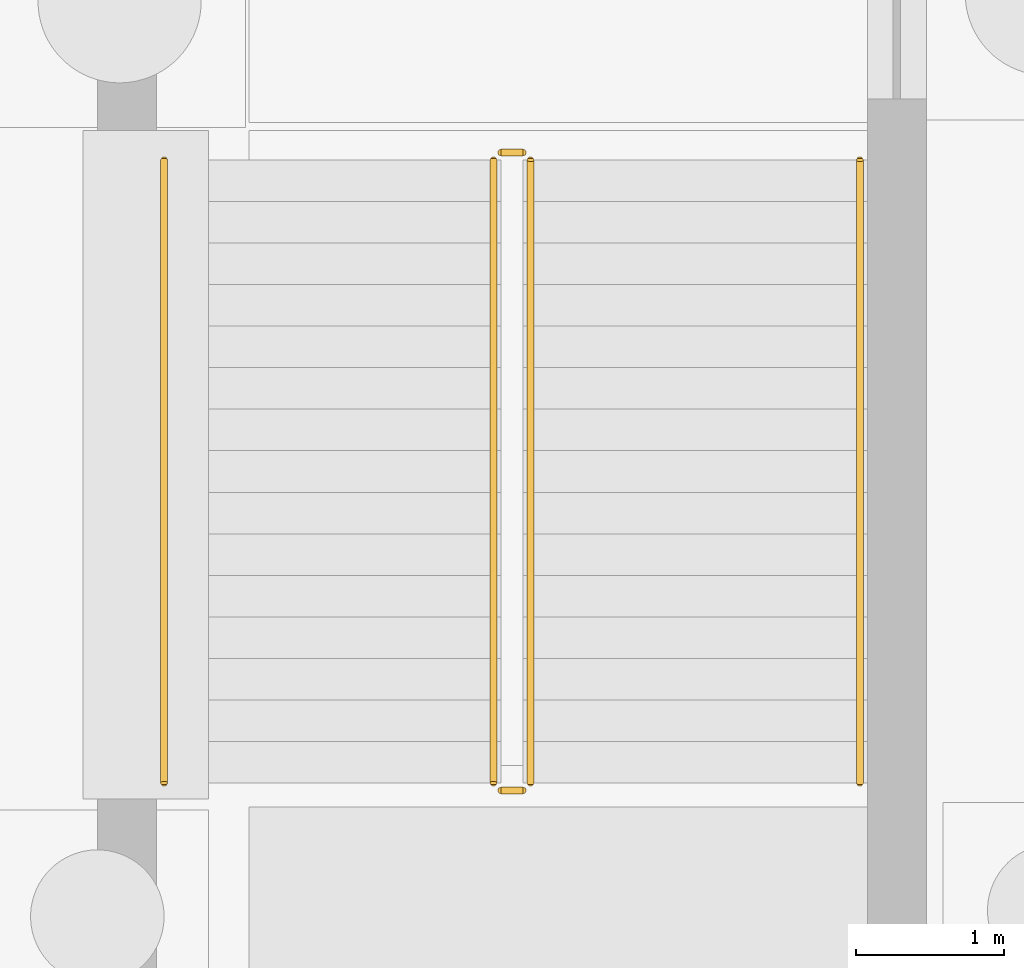
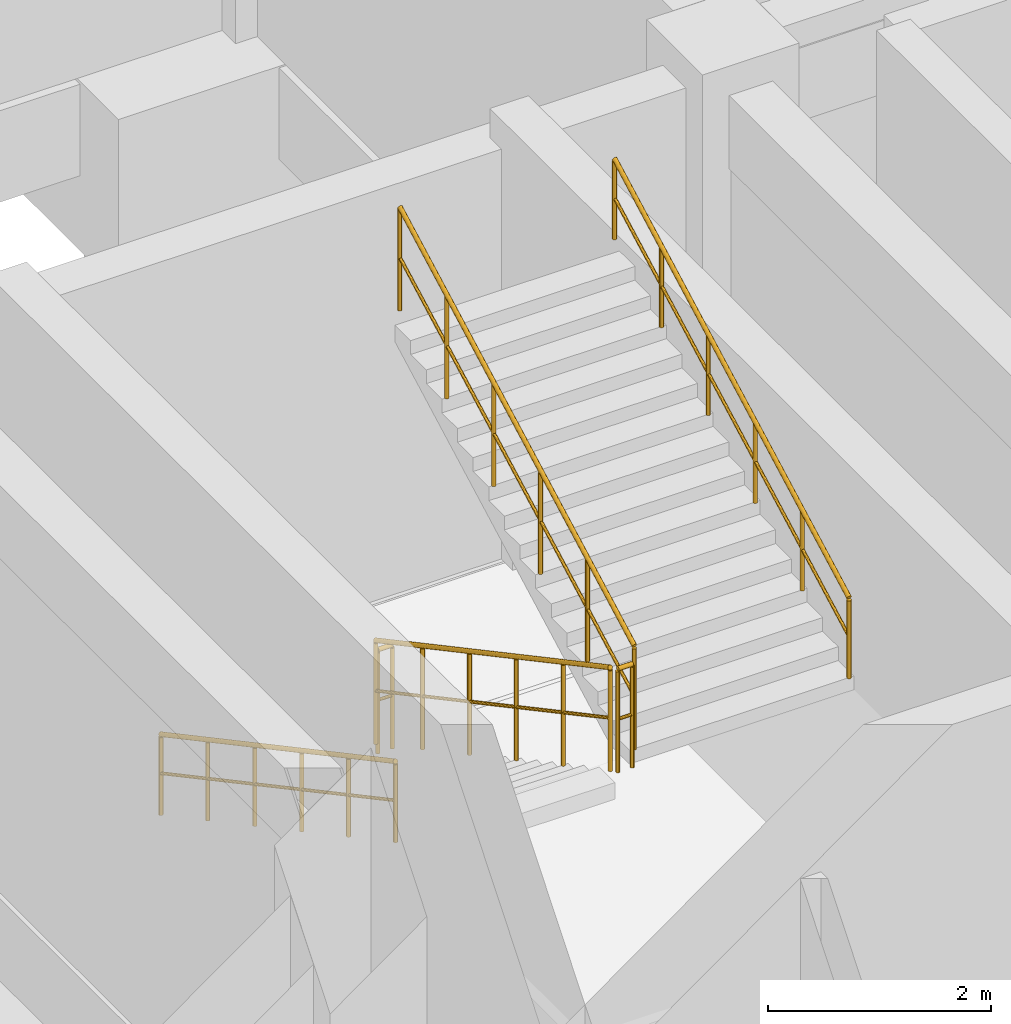
# One storey, part 32 of 33: 6 railings.
"""IFC4 building model written with IfcOpenShell, lengths in metres."""

from ifc_helpers import new_model, si_unit, derived_unit, direction, frame, origin, origin_2d, place, context, subcontext, project, spatial, circle, extrude, material, type_object, element, save


model = new_model("IFC4")

# Units and contexts
model_context = context("Model", 3, precision=1e-05, world=origin(), true_north=direction((0.0, 1.0)))
body_context = subcontext(model_context, "Body", "Model", "MODEL_VIEW")
ifc_project = project(units=[si_unit("LENGTHUNIT", "METRE"), si_unit("AREAUNIT", "SQUARE_METRE"), si_unit("VOLUMEUNIT", "CUBIC_METRE"), si_unit("PLANEANGLEUNIT", "RADIAN"), si_unit("MASSUNIT", "GRAM", prefix="KILO"), derived_unit("THERMALTRANSMITTANCEUNIT", [(si_unit("MASSUNIT", "GRAM", prefix="KILO"), 1), (si_unit("TIMEUNIT", "SECOND"), -3), (si_unit("THERMODYNAMICTEMPERATUREUNIT", "KELVIN"), -1)])], contexts=[model_context])

# Site, building, storey
site_placement = place(None, origin())
site = spatial("IfcSite", under=ifc_project, at=site_placement, CompositionType="ELEMENT")
building_placement = place(site_placement, origin())
building = spatial("IfcBuilding", under=site, at=building_placement, Name="Qinzheling Arcade Emporium", CompositionType="ELEMENT")
storey_placement = place(building_placement, frame((0.0, 0.0, -9.60009765625)))
storey = spatial("IfcBuildingStorey", under=building, at=storey_placement, Name="B2", CompositionType="ELEMENT", Elevation=-9.60009765625)

# Railings
ifc_material_1 = material(Name="Galvanised powder-coated tubular steel", Category="steel")
railing_type_1 = type_object("IfcRailingType", Name="Painted Steel Stairwell Guard Railing 1150", PredefinedType="GUARDRAIL", material=ifc_material_1)
railing_1_placement = place(storey_placement, frame((38.570068359375, 71.47998046875, 0.150146484375)))
element("IfcRailing", 1, at=railing_1_placement, inside=storey, type_object=railing_type_1, Name="B2 ST03 stair guard 1", PredefinedType="GUARDRAIL", context=body_context, shape_type="SweptSolid", body=[
    extrude(circle(Radius=0.02392578125, at=origin_2d()), frame((0.0, 0.0, 1.1259765625), z_axis=(0.0, -0.881477684796, 0.472225678258), x_axis=(1.0, 0.0, 0.0)), (0.0, 0.0, 1.0), 4.7646484375),
    extrude(circle(Radius=0.01611328125, at=origin_2d()), frame((0.0, 0.0, 0.574951171875), z_axis=(0.0, -0.881477684796, 0.472225678258), x_axis=(1.0, 0.0, 0.0)), (0.0, 0.0, 1.0), 4.7646484375),
    extrude(circle(Radius=0.02099609375, at=origin_2d()), origin(), (0.0, 0.0, 1.0), 1.101806640625),
    extrude(circle(Radius=0.02099609375, at=origin_2d()), frame((0.0, -0.840087890625, 0.449951171875)), (0.0, 0.0, 1.0), 1.101806640625),
    extrude(circle(Radius=0.02099609375, at=origin_2d()), frame((0.0, -1.679931640625, 0.89990234375)), (0.0, 0.0, 1.0), 1.101806640625),
    extrude(circle(Radius=0.02099609375, at=origin_2d()), frame((0.0, -2.52001953125, 1.35009765625)), (0.0, 0.0, 1.0), 1.101806640625),
    extrude(circle(Radius=0.02099609375, at=origin_2d()), frame((0.0, -3.35986328125, 1.800048828125)), (0.0, 0.0, 1.0), 1.101806640625),
    extrude(circle(Radius=0.02099609375, at=origin_2d()), frame((0.0, -4.199951171875, 2.25)), (0.0, 0.0, 1.0), 1.101806640625),
])
railing_2_placement = place(storey_placement, frame((38.6201171875, 67.22998046875, 2.400146484375)))
element("IfcRailing", 2, at=railing_2_placement, inside=storey, type_object=railing_type_1, Name="B2 ST03 stair guard 2", PredefinedType="GUARDRAIL", context=body_context, shape_type="SweptSolid", body=[
    extrude(circle(Radius=0.02392578125, at=origin_2d()), frame((0.0, 0.0, 1.1259765625), z_axis=(1.0, 0.0, 0.0), x_axis=(0.0, 1.0, 0.0)), (0.0, 0.0, 1.0), 0.14990234375),
    extrude(circle(Radius=0.01611328125, at=origin_2d()), frame((0.0, 0.0, 0.574951171875), z_axis=(1.0, 0.0, 0.0), x_axis=(0.0, 1.0, 0.0)), (0.0, 0.0, 1.0), 0.14990234375),
    extrude(circle(Radius=0.02099609375, at=origin_2d()), origin(), (0.0, 0.0, 1.0), 1.101806640625),
    extrude(circle(Radius=0.02099609375, at=origin_2d()), frame((0.14990234375, 0.0, 0.0)), (0.0, 0.0, 1.0), 1.101806640625),
])
railing_3_placement = place(storey_placement, frame((38.820068359375, 67.280029296875, 2.550048828125)))
element("IfcRailing", 3, at=railing_3_placement, inside=storey, type_object=railing_type_1, Name="B2 ST03 stair guard 3", PredefinedType="GUARDRAIL", context=body_context, shape_type="SweptSolid", body=[
    extrude(circle(Radius=0.02392578125, at=origin_2d()), frame((0.0, 0.0, 1.1259765625), z_axis=(0.0, 0.881477684796, 0.472225678258), x_axis=(-1.0, 0.0, 0.0)), (0.0, 0.0, 1.0), 4.7646484375),
    extrude(circle(Radius=0.01611328125, at=origin_2d()), frame((0.0, 0.0, 0.574951171875), z_axis=(0.0, 0.881477684796, 0.472225678258), x_axis=(-1.0, 0.0, 0.0)), (0.0, 0.0, 1.0), 4.7646484375),
    extrude(circle(Radius=0.02099609375, at=origin_2d()), origin(), (0.0, 0.0, 1.0), 1.101806640625),
    extrude(circle(Radius=0.02099609375, at=origin_2d()), frame((0.0, 0.840087890625, 0.449951171875)), (0.0, 0.0, 1.0), 1.101806640625),
    extrude(circle(Radius=0.02099609375, at=origin_2d()), frame((0.0, 1.679931640625, 0.89990234375)), (0.0, 0.0, 1.0), 1.101806640625),
    extrude(circle(Radius=0.02099609375, at=origin_2d()), frame((0.0, 2.52001953125, 1.35009765625)), (0.0, 0.0, 1.0), 1.101806640625),
    extrude(circle(Radius=0.02099609375, at=origin_2d()), frame((0.0, 3.35986328125, 1.800048828125)), (0.0, 0.0, 1.0), 1.101806640625),
    extrude(circle(Radius=0.02099609375, at=origin_2d()), frame((0.0, 4.199951171875, 2.25)), (0.0, 0.0, 1.0), 1.101806640625),
])
railing_4_placement = place(storey_placement, frame((38.6201171875, 71.530029296875, 0.0)))
element("IfcRailing", 4, at=railing_4_placement, inside=storey, type_object=railing_type_1, Name="B2 ST03 stair guard 4", PredefinedType="GUARDRAIL", context=body_context, shape_type="SweptSolid", body=[
    extrude(circle(Radius=0.02392578125, at=origin_2d()), frame((0.0, 0.0, 1.1259765625), z_axis=(1.0, 0.0, 0.0), x_axis=(0.0, 1.0, 0.0)), (0.0, 0.0, 1.0), 0.14990234375),
    extrude(circle(Radius=0.01611328125, at=origin_2d()), frame((0.0, 0.0, 0.574951171875), z_axis=(1.0, 0.0, 0.0), x_axis=(0.0, 1.0, 0.0)), (0.0, 0.0, 1.0), 0.14990234375),
    extrude(circle(Radius=0.02099609375, at=origin_2d()), origin(), (0.0, 0.0, 1.0), 1.101806640625),
    extrude(circle(Radius=0.02099609375, at=origin_2d()), frame((0.14990234375, 0.0, 0.0)), (0.0, 0.0, 1.0), 1.101806640625),
])
ifc_material_2 = material(Name="Brushed stainless steel 304", Category="steel")
railing_type_2 = type_object("IfcRailingType", Name="Stainless Steel Wall Handrail 900", PredefinedType="HANDRAIL", material=ifc_material_2)
railing_5_placement = place(storey_placement, frame((36.35009765625, 71.47998046875, 0.150146484375)))
element("IfcRailing", 5, at=railing_5_placement, inside=storey, type_object=railing_type_2, Name="B2 ST03 stair handrail 1", PredefinedType="HANDRAIL", context=body_context, shape_type="SweptSolid", body=[
    extrude(circle(Radius=0.02392578125, at=origin_2d()), frame((0.0, 0.0, 0.8759765625), z_axis=(0.0, -0.881477684796, 0.472225678258), x_axis=(1.0, 0.0, 0.0)), (0.0, 0.0, 1.0), 4.7646484375),
    extrude(circle(Radius=0.01611328125, at=origin_2d()), frame((0.0, 0.0, 0.449951171875), z_axis=(0.0, -0.881477684796, 0.472225678258), x_axis=(1.0, 0.0, 0.0)), (0.0, 0.0, 1.0), 4.7646484375),
    extrude(circle(Radius=0.02099609375, at=origin_2d()), origin(), (0.0, 0.0, 1.0), 0.851806640625),
    extrude(circle(Radius=0.02099609375, at=origin_2d()), frame((0.0, -0.840087890625, 0.449951171875)), (0.0, 0.0, 1.0), 0.851806640625),
    extrude(circle(Radius=0.02099609375, at=origin_2d()), frame((0.0, -1.679931640625, 0.89990234375)), (0.0, 0.0, 1.0), 0.851806640625),
    extrude(circle(Radius=0.02099609375, at=origin_2d()), frame((0.0, -2.52001953125, 1.35009765625)), (0.0, 0.0, 1.0), 0.851806640625),
    extrude(circle(Radius=0.02099609375, at=origin_2d()), frame((0.0, -3.35986328125, 1.800048828125)), (0.0, 0.0, 1.0), 0.851806640625),
    extrude(circle(Radius=0.02099609375, at=origin_2d()), frame((0.0, -4.199951171875, 2.25)), (0.0, 0.0, 1.0), 0.851806640625),
])
railing_6_placement = place(storey_placement, frame((41.0400390625, 67.280029296875, 2.550048828125)))
element("IfcRailing", 6, at=railing_6_placement, inside=storey, type_object=railing_type_2, Name="B2 ST03 stair handrail 2", PredefinedType="HANDRAIL", context=body_context, shape_type="SweptSolid", body=[
    extrude(circle(Radius=0.02392578125, at=origin_2d()), frame((0.0, 0.0, 0.8759765625), z_axis=(0.0, 0.881477684796, 0.472225678258), x_axis=(-1.0, 0.0, 0.0)), (0.0, 0.0, 1.0), 4.7646484375),
    extrude(circle(Radius=0.01611328125, at=origin_2d()), frame((0.0, 0.0, 0.449951171875), z_axis=(0.0, 0.881477684796, 0.472225678258), x_axis=(-1.0, 0.0, 0.0)), (0.0, 0.0, 1.0), 4.7646484375),
    extrude(circle(Radius=0.02099609375, at=origin_2d()), origin(), (0.0, 0.0, 1.0), 0.851806640625),
    extrude(circle(Radius=0.02099609375, at=origin_2d()), frame((0.0, 0.840087890625, 0.449951171875)), (0.0, 0.0, 1.0), 0.851806640625),
    extrude(circle(Radius=0.02099609375, at=origin_2d()), frame((0.0, 1.679931640625, 0.89990234375)), (0.0, 0.0, 1.0), 0.851806640625),
    extrude(circle(Radius=0.02099609375, at=origin_2d()), frame((0.0, 2.52001953125, 1.35009765625)), (0.0, 0.0, 1.0), 0.851806640625),
    extrude(circle(Radius=0.02099609375, at=origin_2d()), frame((0.0, 3.35986328125, 1.800048828125)), (0.0, 0.0, 1.0), 0.851806640625),
    extrude(circle(Radius=0.02099609375, at=origin_2d()), frame((0.0, 4.199951171875, 2.25)), (0.0, 0.0, 1.0), 0.851806640625),
])

save(model, "model.ifc")
